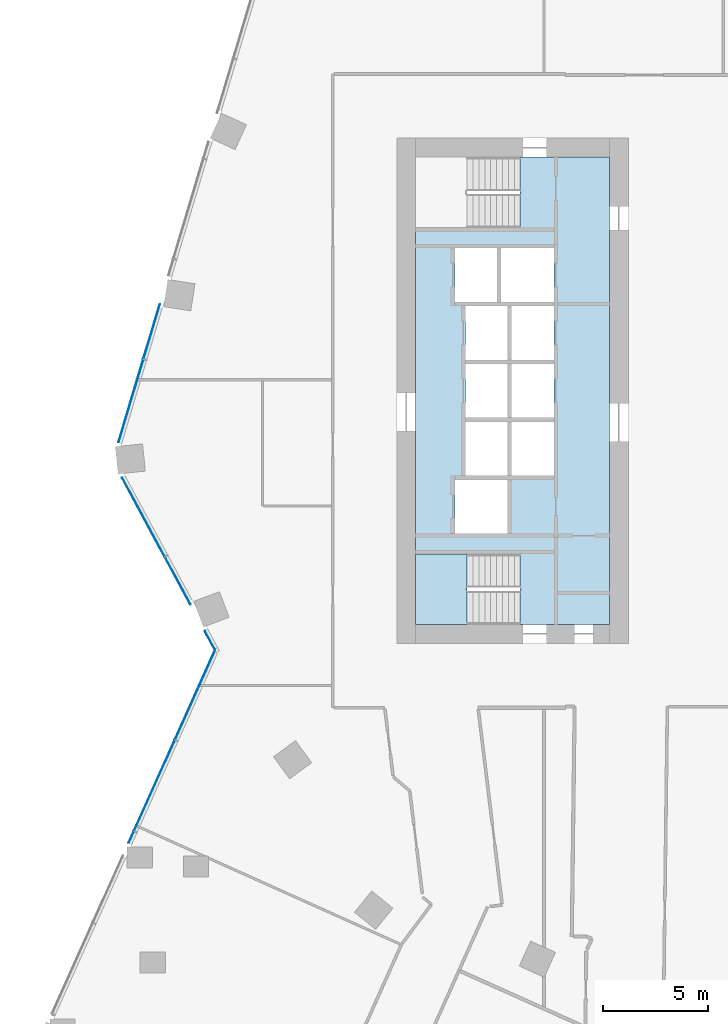
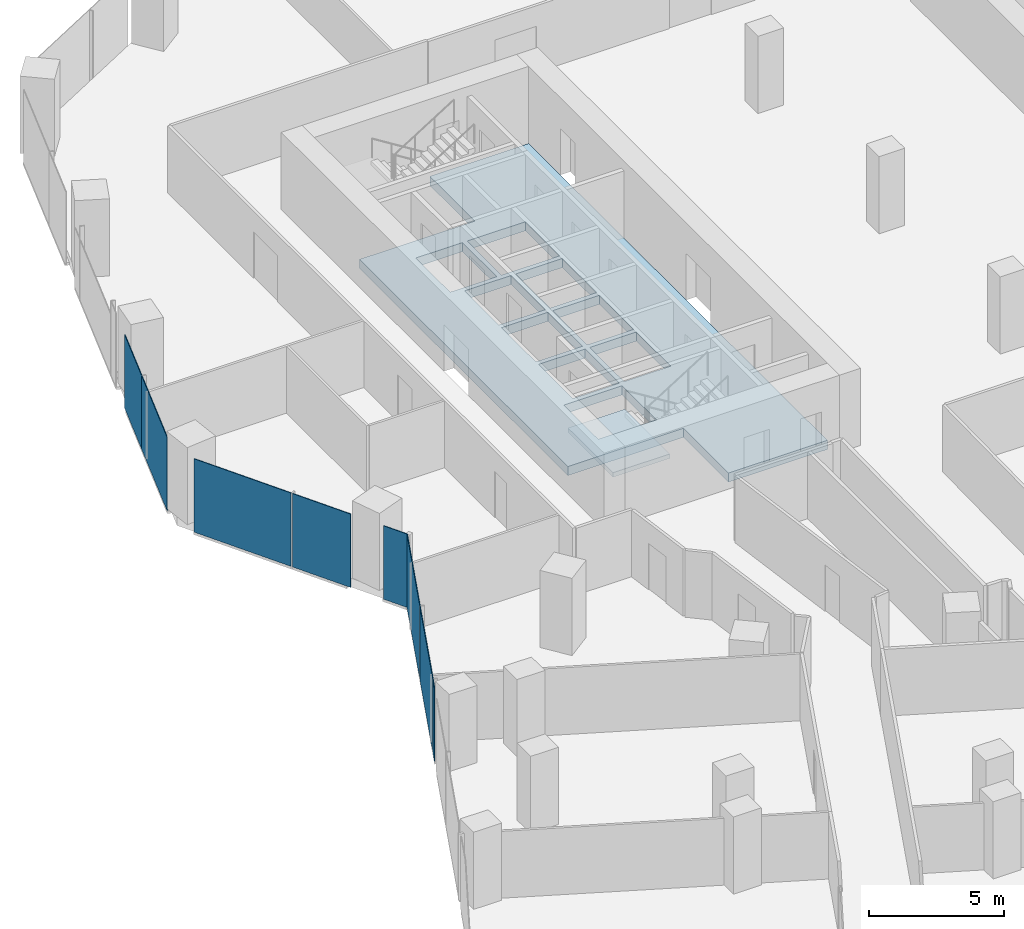
# One storey, part 19 of 34: 8 plates, 2 slabs, 4 elements without a shape of their own.
"""IFC4 building model written with IfcOpenShell, lengths in metres."""

from ifc_helpers import new_model, si_unit, direction, frame, origin, origin_2d, place, context, subcontext, project, spatial, polyline, rectangle, outline, extrude, material, layer, layer_set, type_object, element, aggregate, save


model = new_model("IFC4")

# Units and contexts
model_context = context("Model", 3, precision=1e-05, world=origin(), true_north=direction((0.0, 1.0)))
body_context = subcontext(model_context, "Body", "Model", "MODEL_VIEW")
ifc_project = project(units=[si_unit("LENGTHUNIT", "METRE"), si_unit("AREAUNIT", "SQUARE_METRE"), si_unit("VOLUMEUNIT", "CUBIC_METRE"), si_unit("PLANEANGLEUNIT", "RADIAN"), si_unit("MASSUNIT", "GRAM", prefix="KILO")], contexts=[model_context])

# Site, building, storey
site_placement = place(None, origin())
site = spatial("IfcSite", under=ifc_project, at=site_placement, CompositionType="ELEMENT")
building_placement = place(site_placement, origin())
building = spatial("IfcBuilding", under=site, at=building_placement, Name="Orlundy Tower", CompositionType="ELEMENT")
storey_placement = place(building_placement, frame((0.0, 0.0, 137.699951171875)))
storey = spatial("IfcBuildingStorey", under=building, at=storey_placement, Name="L35", CompositionType="ELEMENT", Elevation=137.699951171875)

# Curtain wall, plates
ifc_material_1 = material(Name="Aluminium bronze anodised", Category="aluminium")
curtain_wall_type = type_object("IfcCurtainWallType", Name="CW1 wall", PredefinedType="NOTDEFINED", material=ifc_material_1)
curtain_wall_1_placement = place(storey_placement, origin())
curtain_wall_1 = element("IfcCurtainWall", 1, at=curtain_wall_1_placement, inside=storey, type_object=curtain_wall_type, Name="CW1 run 00", PredefinedType="NOTDEFINED")
ifc_material_2 = material(Name="Tinted glass", Category="glass")
ifc_layer_1 = layer(ifc_material_2, 0.031982421875)
ifc_layer_set_1 = layer_set([ifc_layer_1], Name="CW1 glass panel 32")
plate_type = type_object("IfcPlateType", Name="CW1 glass panel 32", PredefinedType="CURTAIN_PANEL", material=ifc_layer_set_1)
plate_1_placement = place(storey_placement, frame((-31.61572265625, -21.204833984375, -0.280029296875), z_axis=(0.0, 0.0, 1.0), x_axis=(0.409404071174, 0.912353169834, 0.0)))
plate_1 = element("IfcPlate", 2, at=plate_1_placement, type_object=plate_type, Name="CW1 panel", PredefinedType="CURTAIN_PANEL", context=body_context, shape_type="SweptSolid", body=[
    extrude(rectangle(XDim=0.572509765625, YDim=0.031982421875, at=origin_2d()), origin(), (0.0, 0.0, 1.0), 3.330078125),
])
plate_2_placement = place(storey_placement, frame((-30.514892578125, -18.751708984375, -0.280029296875), z_axis=(0.0, 0.0, 1.0), x_axis=(0.409404071174, 0.912353169834, 0.0)))
plate_2 = element("IfcPlate", 3, at=plate_2_placement, type_object=plate_type, Name="CW1 panel", PredefinedType="CURTAIN_PANEL", context=body_context, shape_type="SweptSolid", body=[
    extrude(rectangle(XDim=4.705322265625, YDim=0.031982421875, at=origin_2d()), origin(), (0.0, 0.0, 1.0), 3.330078125),
])
plate_3_placement = place(storey_placement, frame((-28.57958984375, -14.438720703125, -0.280029296875), z_axis=(0.0, 0.0, 1.0), x_axis=(0.409404071174, 0.912353169834, 0.0)))
plate_3 = element("IfcPlate", 4, at=plate_3_placement, type_object=plate_type, Name="CW1 panel", PredefinedType="CURTAIN_PANEL", context=body_context, shape_type="SweptSolid", body=[
    extrude(rectangle(XDim=4.6494140625, YDim=0.031982421875, at=origin_2d()), origin(), (0.0, 0.0, 1.0), 3.330078125),
])
aggregate(curtain_wall_1, [plate_1, plate_2, plate_3])

curtain_wall_2_placement = place(storey_placement, origin())
curtain_wall_2 = element("IfcCurtainWall", 5, at=curtain_wall_2_placement, inside=storey, type_object=curtain_wall_type, Name="CW1 run 01", PredefinedType="NOTDEFINED")
plate_4_placement = place(storey_placement, frame((-27.873779296875, -11.861328125, -0.280029296875), z_axis=(0.0, 0.0, 1.0), x_axis=(-0.4746239814, 0.880188659482, 0.0)))
plate_4 = element("IfcPlate", 6, at=plate_4_placement, type_object=plate_type, Name="CW1 panel", PredefinedType="CURTAIN_PANEL", context=body_context, shape_type="SweptSolid", body=[
    extrude(rectangle(XDim=1.03662109375, YDim=0.031982421875, at=origin_2d()), origin(), (0.0, 0.0, 1.0), 3.330078125),
])
plate_5_placement = place(storey_placement, frame((-29.40283203125, -9.02587890625, -0.280029296875), z_axis=(0.0, 0.0, 1.0), x_axis=(-0.4746239814, 0.880188659482, 0.0)))
plate_5 = element("IfcPlate", 7, at=plate_5_placement, type_object=plate_type, Name="CW1 panel", PredefinedType="CURTAIN_PANEL", context=body_context, shape_type="SweptSolid", body=[
    extrude(rectangle(XDim=2.54638671875, YDim=0.031982421875, at=origin_2d()), origin(), (0.0, 0.0, 1.0), 3.330078125),
])
plate_6_placement = place(storey_placement, frame((-31.037353515625, -5.99462890625, -0.280029296875), z_axis=(0.0, 0.0, 1.0), x_axis=(-0.4746239814, 0.880188659482, 0.0)))
plate_6 = element("IfcPlate", 8, at=plate_6_placement, type_object=plate_type, Name="CW1 panel", PredefinedType="CURTAIN_PANEL", context=body_context, shape_type="SweptSolid", body=[
    extrude(rectangle(XDim=4.24169921875, YDim=0.031982421875, at=origin_2d()), origin(), (0.0, 0.0, 1.0), 3.330078125),
])
aggregate(curtain_wall_2, [plate_4, plate_5, plate_6])

curtain_wall_3_placement = place(storey_placement, origin())
curtain_wall_3 = element("IfcCurtainWall", 9, at=curtain_wall_3_placement, inside=storey, type_object=curtain_wall_type, Name="CW1 run 02", PredefinedType="NOTDEFINED")
plate_7_placement = place(storey_placement, frame((-31.629638671875, -0.47607421875, -0.280029296875), z_axis=(0.0, 0.0, 1.0), x_axis=(0.286816257107, 0.957985612971, 0.0)))
plate_7 = element("IfcPlate", 10, at=plate_7_placement, type_object=plate_type, Name="CW1 panel", PredefinedType="CURTAIN_PANEL", context=body_context, shape_type="SweptSolid", body=[
    extrude(rectangle(XDim=4.09326171875, YDim=0.031982421875, at=origin_2d()), origin(), (0.0, 0.0, 1.0), 3.330078125),
])
plate_8_placement = place(storey_placement, frame((-30.64208984375, 2.822998046875, -0.280029296875), z_axis=(0.0, 0.0, 1.0), x_axis=(0.286816257107, 0.957985612971, 0.0)))
plate_8 = element("IfcPlate", 11, at=plate_8_placement, type_object=plate_type, Name="CW1 panel", PredefinedType="CURTAIN_PANEL", context=body_context, shape_type="SweptSolid", body=[
    extrude(rectangle(XDim=2.69384765625, YDim=0.031982421875, at=origin_2d()), origin(), (0.0, 0.0, 1.0), 3.330078125),
])
aggregate(curtain_wall_3, [plate_7, plate_8])

# Slab
ifc_material_3 = material(Name="Concrete C50/60", Category="concrete")
ifc_layer_2 = layer(ifc_material_3, 0.409912109375)
ifc_layer_set_2 = layer_set([ifc_layer_2], Name="Core Floor Slab 410")
slab_type_1 = type_object("IfcSlabType", Name="Core Floor Slab 410", PredefinedType="FLOOR", material=ifc_layer_set_2)
slab_1_placement = place(storey_placement, frame((0.0, 0.0, -0.409912109375)))
element("IfcSlab", 12, at=slab_1_placement, inside=storey, type_object=slab_type_1, Name="Core floor W26", PredefinedType="FLOOR", context=body_context, shape_type="SweptSolid", body=[
    extrude(outline(polyline([(-13.14501953125, 7.75), (-13.14501953125, 11.10009765625), (-8.89990234375, 11.10009765625), (-8.89990234375, -11.10009765625), (-13.14501953125, -11.10009765625), (-13.14501953125, -7.75), (-18.10009765625, -7.75), (-18.10009765625, 7.75), (-13.14501953125, 7.75)]), holes=[polyline([(-16.239990234375, -6.77490234375), (-13.739990234375, -6.77490234375), (-13.739990234375, -4.22509765625), (-16.239990234375, -4.22509765625), (-16.239990234375, -6.77490234375)]), polyline([(-13.5400390625, -1.47509765625), (-13.5400390625, -4.02490234375), (-11.5400390625, -4.02490234375), (-11.5400390625, -1.47509765625), (-13.5400390625, -1.47509765625)]), polyline([(-13.739990234375, -1.47509765625), (-15.739990234375, -1.47509765625), (-15.739990234375, -4.02490234375), (-13.739990234375, -4.02490234375), (-13.739990234375, -1.47509765625)]), polyline([(-11.5400390625, -1.27490234375), (-11.5400390625, 1.27490234375), (-13.5400390625, 1.27490234375), (-13.5400390625, -1.27490234375), (-11.5400390625, -1.27490234375)]), polyline([(-15.739990234375, -1.27490234375), (-13.739990234375, -1.27490234375), (-13.739990234375, 1.27490234375), (-15.739990234375, 1.27490234375), (-15.739990234375, -1.27490234375)]), polyline([(-13.5400390625, 4.02490234375), (-13.5400390625, 1.47509765625), (-11.5400390625, 1.47509765625), (-11.5400390625, 4.02490234375), (-13.5400390625, 4.02490234375)]), polyline([(-13.739990234375, 4.02490234375), (-15.739990234375, 4.02490234375), (-15.739990234375, 1.47509765625), (-13.739990234375, 1.47509765625), (-13.739990234375, 4.02490234375)]), polyline([(-11.5400390625, 4.22509765625), (-11.5400390625, 6.77490234375), (-14.0400390625, 6.77490234375), (-14.0400390625, 4.22509765625), (-11.5400390625, 4.22509765625)]), polyline([(-16.239990234375, 4.22509765625), (-14.239990234375, 4.22509765625), (-14.239990234375, 6.77490234375), (-16.239990234375, 6.77490234375), (-16.239990234375, 4.22509765625)])]), origin(), (0.0, 0.0, 1.0), 0.409912109375),
])

# Stair, slab
ifc_material_4 = material(Name="Concrete C50/60", Category="concrete")
stair_type = type_object("IfcStairType", Name="Exit Stair 20 risers", PredefinedType="HALF_TURN_STAIR", material=ifc_material_4)
stair_placement = place(storey_placement, origin())
stair = element("IfcStair", 13, at=stair_placement, inside=storey, type_object=stair_type, Name="L35 Exit Stair ST-W2", PredefinedType="HALF_TURN_STAIR")
ifc_material_5 = material(Name="Concrete C50/60", Category="concrete")
ifc_layer_3 = layer(ifc_material_5, 0.199951171875)
ifc_layer_set_3 = layer_set([ifc_layer_3], Name="Exit Stair Landing")
slab_type_2 = type_object("IfcSlabType", Name="Exit Stair Landing", PredefinedType="LANDING", material=ifc_layer_set_3)
slab_2_placement = place(storey_placement, frame((0.0, 0.0, 1.550048828125)))
slab_2 = element("IfcSlab", 14, at=slab_2_placement, type_object=slab_type_2, Name="ST-W2 landing 1", PredefinedType="LANDING", context=body_context, shape_type="SweptSolid", body=[
    extrude(outline(polyline([(-15.659912109375, -7.75), (-18.10009765625, -7.75), (-18.10009765625, -11.10009765625), (-15.659912109375, -11.10009765625), (-15.659912109375, -7.75)])), origin(), (0.0, 0.0, 1.0), 0.199951171875),
])
aggregate(stair, [slab_2])

save(model, "model.ifc")
